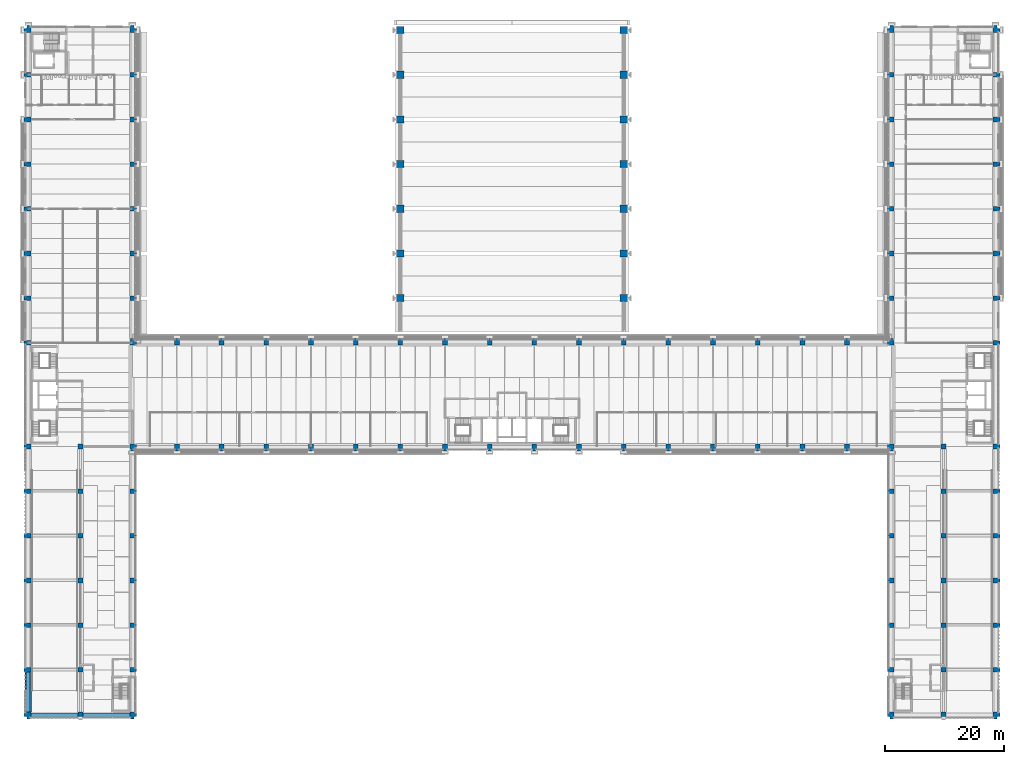
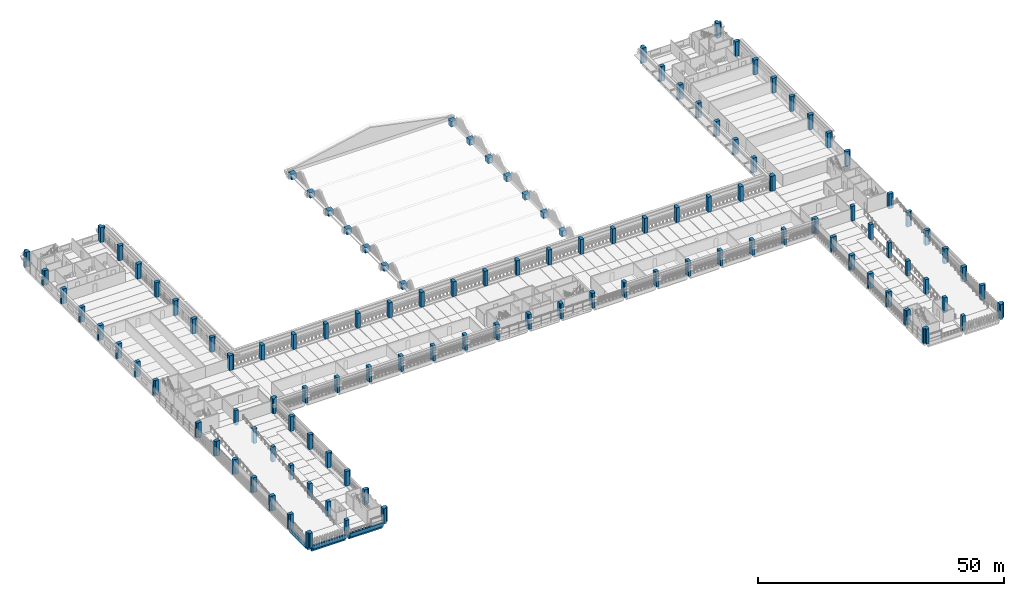
# One storey, part 1 of 71: 120 columns, 3 beams.
"""IFC4 building model written with IfcOpenShell, lengths in metres."""

from ifc_helpers import new_model, si_unit, direction, frame, origin, origin_2d, place, context, subcontext, project, spatial, polyline, rectangle, outline, extrude, material, material_profile, profile_set, type_object, element, save


model = new_model("IFC4")

# Units and contexts
model_context = context("Model", 3, precision=1e-05, world=origin(), true_north=direction((0.0, 1.0)))
body_context = subcontext(model_context, "Body", "Model", "MODEL_VIEW")
ifc_project = project(units=[si_unit("LENGTHUNIT", "METRE"), si_unit("AREAUNIT", "SQUARE_METRE"), si_unit("VOLUMEUNIT", "CUBIC_METRE"), si_unit("PLANEANGLEUNIT", "RADIAN"), si_unit("MASSUNIT", "GRAM", prefix="KILO")], contexts=[model_context])

# Site, building, storey
site_placement = place(None, origin())
site = spatial("IfcSite", under=ifc_project, at=site_placement, CompositionType="ELEMENT")
building_placement = place(site_placement, origin())
building = spatial("IfcBuilding", under=site, at=building_placement, Name="Cour d'Honneur Mobility Palace", CompositionType="ELEMENT")
storey_placement = place(building_placement, frame((0.0, 0.0, 15.60009765625)))
storey = spatial("IfcBuildingStorey", under=building, at=storey_placement, Name="L04", CompositionType="ELEMENT", Elevation=15.60009765625)

# Columns
ifc_material_1 = material(Name="Concrete C50", Category="concrete")
ifc_material_profile_1 = material_profile(ifc_material_1, rectangle(XDim=1.199951171875, YDim=1.199951171875, at=origin_2d()), Name="Hall pier 1200x1200")
ifc_profile_set_1 = profile_set([ifc_material_profile_1], Name="Concrete C50")
column_type_1 = type_object("IfcColumnType", Name="Hall pier 1200x1200", PredefinedType="COLUMN", material=ifc_profile_set_1)
for number, where, z_axis, x_axis, name in (
    (1, (62.39990234375, 69.89990234375, 0.0), (0.0, 0.0, 1.0), (1.0, 0.0, 0.0), "Hall pier HP-W2"),
    (2, (99.89990234375, 69.89990234375, 0.0), (0.0, 0.0, 1.0), (1.0, 0.0, 0.0), "Hall pier HP-E2"),
    (3, (62.39990234375, 77.39990234375, 0.0), (0.0, 0.0, 1.0), (1.0, 0.0, 0.0), "Hall pier HP-W3"),
    (4, (99.89990234375, 77.39990234375, 0.0), (0.0, 0.0, 1.0), (1.0, 0.0, 0.0), "Hall pier HP-E3"),
    (5, (62.39990234375, 84.89990234375, 0.0), (0.0, 0.0, 1.0), (1.0, 0.0, 0.0), "Hall pier HP-W4"),
    (6, (99.89990234375, 84.89990234375, 0.0), (0.0, 0.0, 1.0), (1.0, 0.0, 0.0), "Hall pier HP-E4"),
    (7, (62.39990234375, 92.39990234375, 0.0), (0.0, 0.0, 1.0), (1.0, 0.0, 0.0), "Hall pier HP-W5"),
    (8, (99.89990234375, 92.39990234375, 0.0), (0.0, 0.0, 1.0), (1.0, 0.0, 0.0), "Hall pier HP-E5"),
    (9, (62.39990234375, 99.89990234375, 0.0), (0.0, 0.0, 1.0), (1.0, 0.0, 0.0), "Hall pier HP-W6"),
    (10, (99.89990234375, 99.89990234375, 0.0), (0.0, 0.0, 1.0), (1.0, 0.0, 0.0), "Hall pier HP-E6"),
    (11, (62.39990234375, 107.39990234375, 0.0), (0.0, 0.0, 1.0), (1.0, 0.0, 0.0), "Hall pier HP-W7"),
    (12, (99.89990234375, 107.39990234375, 0.0), (0.0, 0.0, 1.0), (1.0, 0.0, 0.0), "Hall pier HP-E7"),
    (13, (62.39990234375, 114.89990234375, 0.0), (0.0, 0.0, 1.0), (1.0, 0.0, 0.0), "Hall pier HP-W8"),
    (14, (99.89990234375, 114.89990234375, 0.0), (0.0, 0.0, 1.0), (1.0, 0.0, 0.0), "Hall pier HP-E8"),
):
    element("IfcColumn", number, at=place(storey_placement, frame(where, z_axis=z_axis, x_axis=x_axis)), inside=storey, type_object=column_type_1, Name=name, PredefinedType="COLUMN", context=body_context, shape_type="SweptSolid", body=[
        extrude(rectangle(XDim=1.199951171875, YDim=1.199951171875, at=origin_2d()), origin(), (0.0, 0.0, 1.0), 1.39990234375),
    ])
ifc_material_2 = material(Name="Concrete C50", Category="concrete")
ifc_material_profile_2 = material_profile(ifc_material_2, outline(polyline([(-0.39990234375, -0.39990234375), (0.39990234375, -0.39990234375), (0.39990234375, -0.300048828125), (0.75, -0.300048828125), (0.75, 0.300048828125), (0.39990234375, 0.300048828125), (0.39990234375, 0.39990234375), (0.300048828125, 0.39990234375), (0.300048828125, 0.75), (-0.300048828125, 0.75), (-0.300048828125, 0.39990234375), (-0.39990234375, 0.39990234375), (-0.39990234375, -0.39990234375)])), Name="PC C800 corner")
ifc_profile_set_2 = profile_set([ifc_material_profile_2], Name="Concrete C50")
column_type_2 = type_object("IfcColumnType", Name="Precast Column 800 corner", PredefinedType="COLUMN", material=ifc_profile_set_2)
for number, where, z_axis, x_axis, name in (
    (15, (0.0, 0.0, 0.0), (0.0, 0.0, 1.0), (-1.0, 0.0, 0.0), "Precast column C4 1/A L04"),
    (16, (17.39990234375, 0.0, 0.0), (0.0, 0.0, 1.0), (0.0, -1.0, 0.0), "Precast column C4 2/A L04"),
    (17, (144.89990234375, 0.0, 0.0), (0.0, 0.0, 1.0), (-1.0, 0.0, 0.0), "Precast column C4 19/A L04"),
    (18, (162.300048828125, 0.0, 0.0), (0.0, 0.0, 1.0), (0.0, -1.0, 0.0), "Precast column C4 20/A L04"),
    (19, (17.39990234375, 45.0, 0.0), (0.0, 0.0, 1.0), (0.0, -1.0, 0.0), "Precast column C4 2/G L04"),
    (20, (144.89990234375, 45.0, 0.0), (0.0, 0.0, 1.0), (-1.0, 0.0, 0.0), "Precast column C4 19/G L04"),
    (21, (17.39990234375, 62.39990234375, 0.0), (0.0, 0.0, 1.0), (1.0, 0.0, 0.0), "Precast column C4 2/H L04"),
    (22, (144.89990234375, 62.39990234375, 0.0), (0.0, 0.0, 1.0), (0.0, 1.0, 0.0), "Precast column C4 19/H L04"),
    (23, (0.0, 114.89990234375, 0.0), (0.0, 0.0, 1.0), (0.0, 1.0, 0.0), "Precast column C4 1/Q L04"),
    (24, (17.39990234375, 114.89990234375, 0.0), (0.0, 0.0, 1.0), (1.0, 0.0, 0.0), "Precast column C4 2/Q L04"),
    (25, (144.89990234375, 114.89990234375, 0.0), (0.0, 0.0, 1.0), (0.0, 1.0, 0.0), "Precast column C4 19/Q L04"),
    (26, (162.300048828125, 114.89990234375, 0.0), (0.0, 0.0, 1.0), (1.0, 0.0, 0.0), "Precast column C4 20/Q L04"),
):
    element("IfcColumn", number, at=place(storey_placement, frame(where, z_axis=z_axis, x_axis=x_axis)), inside=storey, type_object=column_type_2, Name=name, PredefinedType="COLUMN", context=body_context, shape_type="SweptSolid", body=[
        extrude(outline(polyline([(-0.39990234375, -0.39990234375), (0.39990234375, -0.39990234375), (0.39990234375, -0.300048828125), (0.75, -0.300048828125), (0.75, 0.300048828125), (0.39990234375, 0.300048828125), (0.39990234375, 0.39990234375), (0.300048828125, 0.39990234375), (0.300048828125, 0.75), (-0.300048828125, 0.75), (-0.300048828125, 0.39990234375), (-0.39990234375, 0.39990234375), (-0.39990234375, -0.39990234375)])), origin(), (0.0, 0.0, 1.0), 3.699951171875),
    ])
ifc_material_3 = material(Name="Concrete C50", Category="concrete")
ifc_material_profile_3 = material_profile(ifc_material_3, outline(polyline([(-0.39990234375, -0.39990234375), (0.39990234375, -0.39990234375), (0.39990234375, -0.300048828125), (0.75, -0.300048828125), (0.75, 0.300048828125), (0.39990234375, 0.300048828125), (0.39990234375, 0.39990234375), (-0.39990234375, 0.39990234375), (-0.39990234375, -0.39990234375)])), Name="PC C800 pilaster")
ifc_profile_set_3 = profile_set([ifc_material_profile_3], Name="Concrete C50")
column_type_3 = type_object("IfcColumnType", Name="Precast Column 800 pilaster", PredefinedType="COLUMN", material=ifc_profile_set_3)
for number, where, z_axis, x_axis, name in (
    (27, (0.0, 7.5, 0.0), (0.0, 0.0, 1.0), (-1.0, 0.0, 0.0), "Precast column C6 1/B L04"),
    (28, (17.39990234375, 7.5, 0.0), (0.0, 0.0, 1.0), (1.0, 0.0, 0.0), "Precast column C6 2/B L04"),
    (29, (144.89990234375, 7.5, 0.0), (0.0, 0.0, 1.0), (-1.0, 0.0, 0.0), "Precast column C6 19/B L04"),
    (30, (162.300048828125, 7.5, 0.0), (0.0, 0.0, 1.0), (1.0, 0.0, 0.0), "Precast column C6 20/B L04"),
    (31, (0.0, 15.0, 0.0), (0.0, 0.0, 1.0), (-1.0, 0.0, 0.0), "Precast column C6 1/C L04"),
    (32, (17.39990234375, 15.0, 0.0), (0.0, 0.0, 1.0), (1.0, 0.0, 0.0), "Precast column C6 2/C L04"),
    (33, (144.89990234375, 15.0, 0.0), (0.0, 0.0, 1.0), (-1.0, 0.0, 0.0), "Precast column C6 19/C L04"),
    (34, (162.300048828125, 15.0, 0.0), (0.0, 0.0, 1.0), (1.0, 0.0, 0.0), "Precast column C6 20/C L04"),
    (35, (0.0, 22.5, 0.0), (0.0, 0.0, 1.0), (-1.0, 0.0, 0.0), "Precast column C6 1/D L04"),
    (36, (17.39990234375, 22.5, 0.0), (0.0, 0.0, 1.0), (1.0, 0.0, 0.0), "Precast column C6 2/D L04"),
    (37, (144.89990234375, 22.5, 0.0), (0.0, 0.0, 1.0), (-1.0, 0.0, 0.0), "Precast column C6 19/D L04"),
    (38, (162.300048828125, 22.5, 0.0), (0.0, 0.0, 1.0), (1.0, 0.0, 0.0), "Precast column C6 20/D L04"),
    (39, (0.0, 30.0, 0.0), (0.0, 0.0, 1.0), (-1.0, 0.0, 0.0), "Precast column C6 1/E L04"),
    (40, (17.39990234375, 30.0, 0.0), (0.0, 0.0, 1.0), (1.0, 0.0, 0.0), "Precast column C6 2/E L04"),
    (41, (144.89990234375, 30.0, 0.0), (0.0, 0.0, 1.0), (-1.0, 0.0, 0.0), "Precast column C6 19/E L04"),
    (42, (162.300048828125, 30.0, 0.0), (0.0, 0.0, 1.0), (1.0, 0.0, 0.0), "Precast column C6 20/E L04"),
    (43, (0.0, 37.5, 0.0), (0.0, 0.0, 1.0), (-1.0, 0.0, 0.0), "Precast column C6 1/F L04"),
    (44, (17.39990234375, 37.5, 0.0), (0.0, 0.0, 1.0), (1.0, 0.0, 0.0), "Precast column C6 2/F L04"),
    (45, (144.89990234375, 37.5, 0.0), (0.0, 0.0, 1.0), (-1.0, 0.0, 0.0), "Precast column C6 19/F L04"),
    (46, (162.300048828125, 37.5, 0.0), (0.0, 0.0, 1.0), (1.0, 0.0, 0.0), "Precast column C6 20/F L04"),
    (47, (0.0, 45.0, 0.0), (0.0, 0.0, 1.0), (-1.0, 0.0, 0.0), "Precast column C6 1/G L04"),
    (48, (24.89990234375, 45.0, 0.0), (0.0, 0.0, 1.0), (0.0, -1.0, 0.0), "Precast column C6 3/G L04"),
    (49, (32.39990234375, 45.0, 0.0), (0.0, 0.0, 1.0), (0.0, -1.0, 0.0), "Precast column C6 4/G L04"),
    (50, (39.89990234375, 45.0, 0.0), (0.0, 0.0, 1.0), (0.0, -1.0, 0.0), "Precast column C6 5/G L04"),
    (51, (47.39990234375, 45.0, 0.0), (0.0, 0.0, 1.0), (0.0, -1.0, 0.0), "Precast column C6 6/G L04"),
    (52, (54.89990234375, 45.0, 0.0), (0.0, 0.0, 1.0), (0.0, -1.0, 0.0), "Precast column C6 7/G L04"),
    (53, (62.39990234375, 45.0, 0.0), (0.0, 0.0, 1.0), (0.0, -1.0, 0.0), "Precast column C6 8/G L04"),
    (54, (69.89990234375, 45.0, 0.0), (0.0, 0.0, 1.0), (0.0, -1.0, 0.0), "Precast column C6 9/G L04"),
    (55, (77.39990234375, 45.0, 0.0), (0.0, 0.0, 1.0), (0.0, -1.0, 0.0), "Precast column C6 10/G L04"),
    (56, (84.89990234375, 45.0, 0.0), (0.0, 0.0, 1.0), (0.0, -1.0, 0.0), "Precast column C6 11/G L04"),
    (57, (92.39990234375, 45.0, 0.0), (0.0, 0.0, 1.0), (0.0, -1.0, 0.0), "Precast column C6 12/G L04"),
    (58, (99.89990234375, 45.0, 0.0), (0.0, 0.0, 1.0), (0.0, -1.0, 0.0), "Precast column C6 13/G L04"),
    (59, (107.39990234375, 45.0, 0.0), (0.0, 0.0, 1.0), (0.0, -1.0, 0.0), "Precast column C6 14/G L04"),
    (60, (114.89990234375, 45.0, 0.0), (0.0, 0.0, 1.0), (0.0, -1.0, 0.0), "Precast column C6 15/G L04"),
    (61, (122.39990234375, 45.0, 0.0), (0.0, 0.0, 1.0), (0.0, -1.0, 0.0), "Precast column C6 16/G L04"),
    (62, (129.89990234375, 45.0, 0.0), (0.0, 0.0, 1.0), (0.0, -1.0, 0.0), "Precast column C6 17/G L04"),
    (63, (137.39990234375, 45.0, 0.0), (0.0, 0.0, 1.0), (0.0, -1.0, 0.0), "Precast column C6 18/G L04"),
    (64, (162.300048828125, 45.0, 0.0), (0.0, 0.0, 1.0), (1.0, 0.0, 0.0), "Precast column C6 20/G L04"),
    (65, (0.0, 62.39990234375, 0.0), (0.0, 0.0, 1.0), (-1.0, 0.0, 0.0), "Precast column C6 1/H L04"),
    (66, (24.89990234375, 62.39990234375, 0.0), (0.0, 0.0, 1.0), (0.0, 1.0, 0.0), "Precast column C6 3/H L04"),
    (67, (32.39990234375, 62.39990234375, 0.0), (0.0, 0.0, 1.0), (0.0, 1.0, 0.0), "Precast column C6 4/H L04"),
    (68, (39.89990234375, 62.39990234375, 0.0), (0.0, 0.0, 1.0), (0.0, 1.0, 0.0), "Precast column C6 5/H L04"),
    (69, (47.39990234375, 62.39990234375, 0.0), (0.0, 0.0, 1.0), (0.0, 1.0, 0.0), "Precast column C6 6/H L04"),
    (70, (54.89990234375, 62.39990234375, 0.0), (0.0, 0.0, 1.0), (0.0, 1.0, 0.0), "Precast column C6 7/H L04"),
    (71, (62.39990234375, 62.39990234375, 0.0), (0.0, 0.0, 1.0), (0.0, 1.0, 0.0), "Precast column C6 8/H L04"),
    (72, (69.89990234375, 62.39990234375, 0.0), (0.0, 0.0, 1.0), (0.0, 1.0, 0.0), "Precast column C6 9/H L04"),
    (73, (77.39990234375, 62.39990234375, 0.0), (0.0, 0.0, 1.0), (0.0, 1.0, 0.0), "Precast column C6 10/H L04"),
    (74, (84.89990234375, 62.39990234375, 0.0), (0.0, 0.0, 1.0), (0.0, 1.0, 0.0), "Precast column C6 11/H L04"),
    (75, (92.39990234375, 62.39990234375, 0.0), (0.0, 0.0, 1.0), (0.0, 1.0, 0.0), "Precast column C6 12/H L04"),
    (76, (99.89990234375, 62.39990234375, 0.0), (0.0, 0.0, 1.0), (0.0, 1.0, 0.0), "Precast column C6 13/H L04"),
    (77, (107.39990234375, 62.39990234375, 0.0), (0.0, 0.0, 1.0), (0.0, 1.0, 0.0), "Precast column C6 14/H L04"),
    (78, (114.89990234375, 62.39990234375, 0.0), (0.0, 0.0, 1.0), (0.0, 1.0, 0.0), "Precast column C6 15/H L04"),
    (79, (122.39990234375, 62.39990234375, 0.0), (0.0, 0.0, 1.0), (0.0, 1.0, 0.0), "Precast column C6 16/H L04"),
    (80, (129.89990234375, 62.39990234375, 0.0), (0.0, 0.0, 1.0), (0.0, 1.0, 0.0), "Precast column C6 17/H L04"),
    (81, (137.39990234375, 62.39990234375, 0.0), (0.0, 0.0, 1.0), (0.0, 1.0, 0.0), "Precast column C6 18/H L04"),
    (82, (162.300048828125, 62.39990234375, 0.0), (0.0, 0.0, 1.0), (1.0, 0.0, 0.0), "Precast column C6 20/H L04"),
    (83, (0.0, 69.89990234375, 0.0), (0.0, 0.0, 1.0), (-1.0, 0.0, 0.0), "Precast column C6 1/J L04"),
    (84, (17.39990234375, 69.89990234375, 0.0), (0.0, 0.0, 1.0), (1.0, 0.0, 0.0), "Precast column C6 2/J L04"),
    (85, (144.89990234375, 69.89990234375, 0.0), (0.0, 0.0, 1.0), (-1.0, 0.0, 0.0), "Precast column C6 19/J L04"),
    (86, (162.300048828125, 69.89990234375, 0.0), (0.0, 0.0, 1.0), (1.0, 0.0, 0.0), "Precast column C6 20/J L04"),
    (87, (0.0, 77.39990234375, 0.0), (0.0, 0.0, 1.0), (-1.0, 0.0, 0.0), "Precast column C6 1/K L04"),
    (88, (17.39990234375, 77.39990234375, 0.0), (0.0, 0.0, 1.0), (1.0, 0.0, 0.0), "Precast column C6 2/K L04"),
    (89, (144.89990234375, 77.39990234375, 0.0), (0.0, 0.0, 1.0), (-1.0, 0.0, 0.0), "Precast column C6 19/K L04"),
    (90, (162.300048828125, 77.39990234375, 0.0), (0.0, 0.0, 1.0), (1.0, 0.0, 0.0), "Precast column C6 20/K L04"),
    (91, (0.0, 84.89990234375, 0.0), (0.0, 0.0, 1.0), (-1.0, 0.0, 0.0), "Precast column C6 1/L L04"),
    (92, (17.39990234375, 84.89990234375, 0.0), (0.0, 0.0, 1.0), (1.0, 0.0, 0.0), "Precast column C6 2/L L04"),
    (93, (144.89990234375, 84.89990234375, 0.0), (0.0, 0.0, 1.0), (-1.0, 0.0, 0.0), "Precast column C6 19/L L04"),
    (94, (162.300048828125, 84.89990234375, 0.0), (0.0, 0.0, 1.0), (1.0, 0.0, 0.0), "Precast column C6 20/L L04"),
    (95, (0.0, 92.39990234375, 0.0), (0.0, 0.0, 1.0), (-1.0, 0.0, 0.0), "Precast column C6 1/M L04"),
    (96, (17.39990234375, 92.39990234375, 0.0), (0.0, 0.0, 1.0), (1.0, 0.0, 0.0), "Precast column C6 2/M L04"),
    (97, (144.89990234375, 92.39990234375, 0.0), (0.0, 0.0, 1.0), (-1.0, 0.0, 0.0), "Precast column C6 19/M L04"),
    (98, (162.300048828125, 92.39990234375, 0.0), (0.0, 0.0, 1.0), (1.0, 0.0, 0.0), "Precast column C6 20/M L04"),
    (99, (0.0, 99.89990234375, 0.0), (0.0, 0.0, 1.0), (-1.0, 0.0, 0.0), "Precast column C6 1/N L04"),
    (100, (17.39990234375, 99.89990234375, 0.0), (0.0, 0.0, 1.0), (1.0, 0.0, 0.0), "Precast column C6 2/N L04"),
    (101, (144.89990234375, 99.89990234375, 0.0), (0.0, 0.0, 1.0), (-1.0, 0.0, 0.0), "Precast column C6 19/N L04"),
    (102, (162.300048828125, 99.89990234375, 0.0), (0.0, 0.0, 1.0), (1.0, 0.0, 0.0), "Precast column C6 20/N L04"),
    (103, (0.0, 107.39990234375, 0.0), (0.0, 0.0, 1.0), (-1.0, 0.0, 0.0), "Precast column C6 1/P L04"),
    (104, (17.39990234375, 107.39990234375, 0.0), (0.0, 0.0, 1.0), (1.0, 0.0, 0.0), "Precast column C6 2/P L04"),
    (105, (144.89990234375, 107.39990234375, 0.0), (0.0, 0.0, 1.0), (-1.0, 0.0, 0.0), "Precast column C6 19/P L04"),
    (106, (162.300048828125, 107.39990234375, 0.0), (0.0, 0.0, 1.0), (1.0, 0.0, 0.0), "Precast column C6 20/P L04"),
):
    element("IfcColumn", number, at=place(storey_placement, frame(where, z_axis=z_axis, x_axis=x_axis)), inside=storey, type_object=column_type_3, Name=name, PredefinedType="COLUMN", context=body_context, shape_type="SweptSolid", body=[
        extrude(outline(polyline([(-0.39990234375, -0.39990234375), (0.39990234375, -0.39990234375), (0.39990234375, -0.300048828125), (0.75, -0.300048828125), (0.75, 0.300048828125), (0.39990234375, 0.300048828125), (0.39990234375, 0.39990234375), (-0.39990234375, 0.39990234375), (-0.39990234375, -0.39990234375)])), origin(), (0.0, 0.0, 1.0), 3.699951171875),
    ])
ifc_material_4 = material(Name="Concrete C50", Category="concrete")
ifc_material_profile_4 = material_profile(ifc_material_4, outline(polyline([(-0.39990234375, -0.39990234375), (0.39990234375, -0.39990234375), (0.39990234375, 0.39990234375), (-0.39990234375, 0.39990234375), (-0.39990234375, -0.39990234375)])), Name="PC C800 plain")
ifc_profile_set_4 = profile_set([ifc_material_profile_4], Name="Concrete C50")
column_type_4 = type_object("IfcColumnType", Name="Precast Column 800 plain", PredefinedType="COLUMN", material=ifc_profile_set_4)
for number, where, z_axis, x_axis, name in (
    (107, (8.699951171875, 0.0, 0.0), (0.0, 0.0, 1.0), (1.0, 0.0, 0.0), "Precast column C5 1A/A L04"),
    (108, (153.60009765625, 0.0, 0.0), (0.0, 0.0, 1.0), (1.0, 0.0, 0.0), "Precast column C5 19A/A L04"),
    (109, (8.699951171875, 7.5, 0.0), (0.0, 0.0, 1.0), (1.0, 0.0, 0.0), "Precast column C5 1A/B L04"),
    (110, (153.60009765625, 7.5, 0.0), (0.0, 0.0, 1.0), (1.0, 0.0, 0.0), "Precast column C5 19A/B L04"),
    (111, (8.699951171875, 15.0, 0.0), (0.0, 0.0, 1.0), (1.0, 0.0, 0.0), "Precast column C5 1A/C L04"),
    (112, (153.60009765625, 15.0, 0.0), (0.0, 0.0, 1.0), (1.0, 0.0, 0.0), "Precast column C5 19A/C L04"),
    (113, (8.699951171875, 22.5, 0.0), (0.0, 0.0, 1.0), (1.0, 0.0, 0.0), "Precast column C5 1A/D L04"),
    (114, (153.60009765625, 22.5, 0.0), (0.0, 0.0, 1.0), (1.0, 0.0, 0.0), "Precast column C5 19A/D L04"),
    (115, (8.699951171875, 30.0, 0.0), (0.0, 0.0, 1.0), (1.0, 0.0, 0.0), "Precast column C5 1A/E L04"),
    (116, (153.60009765625, 30.0, 0.0), (0.0, 0.0, 1.0), (1.0, 0.0, 0.0), "Precast column C5 19A/E L04"),
    (117, (8.699951171875, 37.5, 0.0), (0.0, 0.0, 1.0), (1.0, 0.0, 0.0), "Precast column C5 1A/F L04"),
    (118, (153.60009765625, 37.5, 0.0), (0.0, 0.0, 1.0), (1.0, 0.0, 0.0), "Precast column C5 19A/F L04"),
    (119, (8.699951171875, 45.0, 0.0), (0.0, 0.0, 1.0), (1.0, 0.0, 0.0), "Precast column C5 1A/G L04"),
    (120, (153.60009765625, 45.0, 0.0), (0.0, 0.0, 1.0), (1.0, 0.0, 0.0), "Precast column C5 19A/G L04"),
):
    element("IfcColumn", number, at=place(storey_placement, frame(where, z_axis=z_axis, x_axis=x_axis)), inside=storey, type_object=column_type_4, Name=name, PredefinedType="COLUMN", context=body_context, shape_type="SweptSolid", body=[
        extrude(outline(polyline([(-0.39990234375, -0.39990234375), (0.39990234375, -0.39990234375), (0.39990234375, 0.39990234375), (-0.39990234375, 0.39990234375), (-0.39990234375, -0.39990234375)])), origin(), (0.0, 0.0, 1.0), 3.699951171875),
    ])

# Beams
ifc_material_5 = material(Name="Concrete C45", Category="concrete")
ifc_material_profile_5 = material_profile(ifc_material_5, outline(polyline([(0.22509765625, -1.300048828125), (0.22509765625, 0.0), (-0.22509765625, 0.0), (-0.449951171875, 0.0), (-0.449951171875, 0.300048828125), (-0.64990234375, 0.300048828125), (-0.64990234375, -0.60009765625), (-0.22509765625, -0.60009765625), (-0.22509765625, -1.300048828125), (0.22509765625, -1.300048828125)])), Name="Edge Spandrel Beam 450x1300 no ledge facade right")
ifc_profile_set_5 = profile_set([ifc_material_profile_5], Name="Concrete C45")
beam_type_1 = type_object("IfcBeamType", Name="Edge Spandrel Beam 450x1300 no ledge facade right", PredefinedType="SPANDREL", material=ifc_profile_set_5)
beam_1_placement = place(storey_placement, frame((0.39990234375, 0.0, 0.0), z_axis=(1.0, 0.0, 0.0), x_axis=(0.0, 1.0, 0.0)))
element("IfcBeam", 121, at=beam_1_placement, inside=storey, type_object=beam_type_1, Name="Precast beam B1 1-1A L04", PredefinedType="SPANDREL", context=body_context, shape_type="SweptSolid", body=[
    extrude(outline(polyline([(0.22509765625, -1.300048828125), (0.22509765625, 0.0), (-0.22509765625, 0.0), (-0.449951171875, 0.0), (-0.449951171875, 0.300048828125), (-0.64990234375, 0.300048828125), (-0.64990234375, -0.60009765625), (-0.22509765625, -0.60009765625), (-0.22509765625, -1.300048828125), (0.22509765625, -1.300048828125)])), origin(), (0.0, 0.0, 1.0), 7.900146484375),
])
beam_2_placement = place(storey_placement, frame((9.10009765625, 0.0, 0.0), z_axis=(1.0, 0.0, 0.0), x_axis=(0.0, 1.0, 0.0)))
element("IfcBeam", 122, at=beam_2_placement, inside=storey, type_object=beam_type_1, Name="Precast beam B1 1A-2 L04", PredefinedType="SPANDREL", context=body_context, shape_type="SweptSolid", body=[
    extrude(outline(polyline([(0.22509765625, -1.300048828125), (0.22509765625, 0.0), (-0.22509765625, 0.0), (-0.449951171875, 0.0), (-0.449951171875, 0.300048828125), (-0.64990234375, 0.300048828125), (-0.64990234375, -0.60009765625), (-0.22509765625, -0.60009765625), (-0.22509765625, -1.300048828125), (0.22509765625, -1.300048828125)])), origin(), (0.0, 0.0, 1.0), 7.89990234375),
])
ifc_material_6 = material(Name="Concrete C45", Category="concrete")
ifc_material_profile_6 = material_profile(ifc_material_6, outline(polyline([(0.199951171875, -1.10009765625), (0.199951171875, -0.60009765625), (0.64990234375, -0.60009765625), (0.64990234375, 0.300048828125), (0.449951171875, 0.300048828125), (0.449951171875, 0.0), (0.199951171875, 0.0), (-0.199951171875, 0.0), (-0.199951171875, -0.800048828125), (-0.5, -0.800048828125), (-0.5, -1.10009765625), (0.199951171875, -1.10009765625)])), Name="Ledger Beam 400x1100 ledge right 300 facade left")
ifc_profile_set_6 = profile_set([ifc_material_profile_6], Name="Concrete C45")
beam_type_2 = type_object("IfcBeamType", Name="Ledger Beam 400x1100 ledge right 300 facade left", PredefinedType="BEAM", material=ifc_profile_set_6)
beam_3_placement = place(storey_placement, frame((0.0, 0.39990234375, 0.0), z_axis=(0.0, 1.0, 0.0), x_axis=(-1.0, 0.0, 0.0)))
element("IfcBeam", 123, at=beam_3_placement, inside=storey, type_object=beam_type_2, Name="Precast beam B6 A-B L04", PredefinedType="BEAM", context=body_context, shape_type="SweptSolid", body=[
    extrude(outline(polyline([(0.199951171875, -1.10009765625), (0.199951171875, -0.60009765625), (0.64990234375, -0.60009765625), (0.64990234375, 0.300048828125), (0.449951171875, 0.300048828125), (0.449951171875, 0.0), (0.199951171875, 0.0), (-0.199951171875, 0.0), (-0.199951171875, -0.800048828125), (-0.5, -0.800048828125), (-0.5, -1.10009765625), (0.199951171875, -1.10009765625)])), origin(), (0.0, 0.0, 1.0), 6.7001953125),
])

save(model, "model.ifc")
